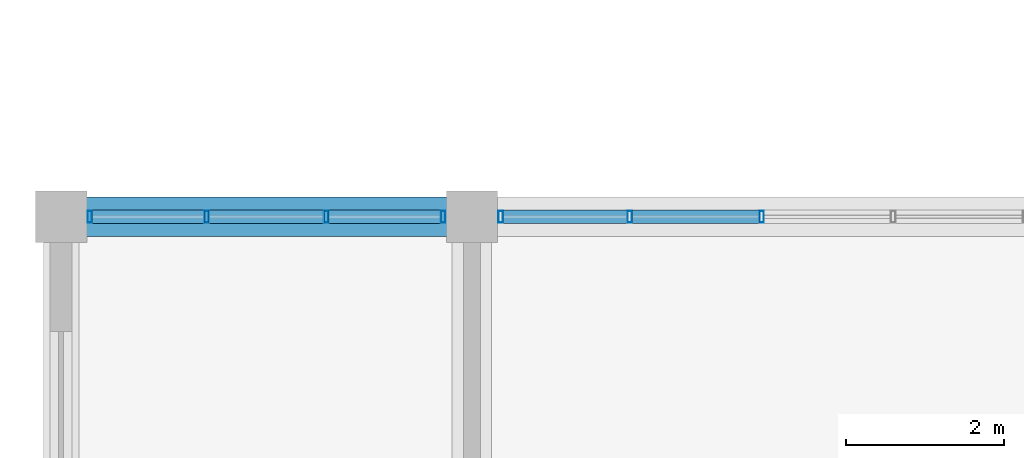
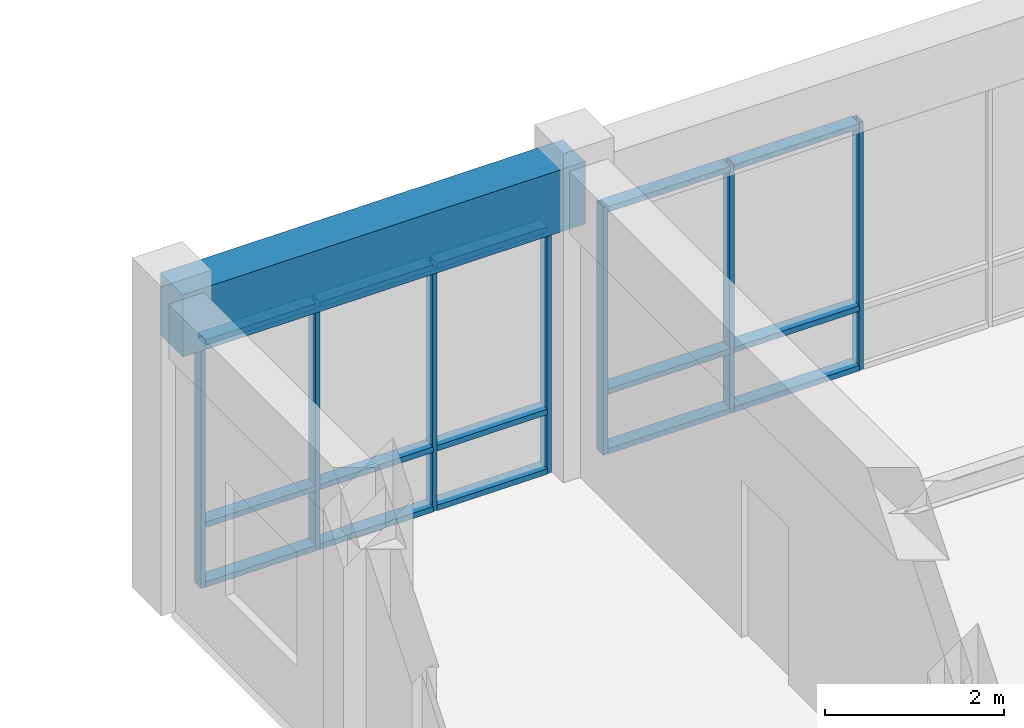
# One storey, part 8 of 55: 22 members, 1 beam, 2 elements without a shape of their own.
"""IFC4 building model written with IfcOpenShell, lengths in metres."""

from ifc_helpers import new_model, si_unit, direction, frame, origin, origin_2d, place, context, subcontext, project, spatial, rectangle, hollow_rectangle, extrude, material, layer, layer_set, material_profile, profile_set, type_object, element, aggregate, save


model = new_model("IFC4")

# Units and contexts
model_context = context("Model", 3, precision=1e-05, world=origin(), true_north=direction((0.0, 1.0)))
body_context = subcontext(model_context, "Body", "Model", "MODEL_VIEW")
ifc_project = project(units=[si_unit("LENGTHUNIT", "METRE"), si_unit("AREAUNIT", "SQUARE_METRE"), si_unit("VOLUMEUNIT", "CUBIC_METRE"), si_unit("PLANEANGLEUNIT", "RADIAN"), si_unit("MASSUNIT", "GRAM", prefix="KILO")], contexts=[model_context])

# Site, building, storey
site_placement = place(None, origin())
site = spatial("IfcSite", under=ifc_project, at=site_placement, CompositionType="ELEMENT")
building_placement = place(site_placement, origin())
building = spatial("IfcBuilding", under=site, at=building_placement, Name="Ventoquebrada Cableway Terminal", CompositionType="ELEMENT")
storey_placement = place(building_placement, frame((0.0, 0.0, 14.39990234375)))
storey = spatial("IfcBuildingStorey", under=building, at=storey_placement, Name="L03", CompositionType="ELEMENT", Elevation=14.39990234375)

# Beam
ifc_material_1 = material(Name="Concrete C40/50", Category="concrete")
ifc_material_profile_1 = material_profile(ifc_material_1, rectangle(XDim=0.5, YDim=0.85009765625, at=origin_2d()), Name="RC-BM-500X850")
ifc_profile_set_1 = profile_set([ifc_material_profile_1], Name="Concrete C40/50")
beam_type = type_object("IfcBeamType", Name="BM-RC04", PredefinedType="BEAM", material=ifc_profile_set_1)
beam_placement = place(storey_placement, frame((3.0, 38.199951171875, 3.80517578125), z_axis=(1.0, 0.0, 0.0), x_axis=(0.0, 1.0, 0.0)))
element("IfcBeam", 1, at=beam_placement, inside=storey, type_object=beam_type, Name="Primary frame girder FBM-0238", PredefinedType="BEAM", context=body_context, shape_type="SweptSolid", body=[
    extrude(rectangle(XDim=0.5, YDim=0.85009765625, at=origin_2d()), origin(), (0.0, 0.0, 1.0), 5.199951171875),
])

# Curtain wall, members
ifc_material_2 = material(Name="Anodized thermally-broken aluminium", Category="aluminium")
ifc_layer_1 = layer(ifc_material_2, 0.159912109375)
ifc_layer_set_1 = layer_set([ifc_layer_1], Name="Anodized thermally-broken aluminium")
curtain_wall_type_1 = type_object("IfcCurtainWallType", Name="CW-T10", PredefinedType="USERDEFINED", material=ifc_layer_set_1)
curtain_wall_1_placement = place(storey_placement, origin())
curtain_wall_1 = element("IfcCurtainWall", 2, at=curtain_wall_1_placement, inside=storey, type_object=curtain_wall_type_1, Name="Unitised glazed curtain wall CW-020", ObjectType="UNITISED CURTAIN WALL", PredefinedType="USERDEFINED")
ifc_material_profile_2 = material_profile(ifc_material_2, hollow_rectangle(XDim=0.06005859375, YDim=0.14990234375, WallThickness=0.00390625, at=origin_2d()), Name="CW-MUL-60X150")
ifc_profile_set_2 = profile_set([ifc_material_profile_2], Name="Anodized thermally-broken aluminium")
member_type_1 = type_object("IfcMemberType", Name="CWM-03", PredefinedType="MULLION", material=ifc_profile_set_2)
member_1_placement = place(storey_placement, frame((7.8349609375, 38.199951171875, -0.0078125), z_axis=(0.0, 0.0, 1.0), x_axis=(-1.0, 0.0, 0.0)))
member_1 = element("IfcMember", 3, at=member_1_placement, type_object=member_type_1, Name="Curtain wall mullion FML-0090", PredefinedType="MULLION", context=body_context, shape_type="SweptSolid", body=[
    extrude(hollow_rectangle(XDim=0.06005859375, YDim=0.14990234375, WallThickness=0.00390625, at=origin_2d()), origin(), (0.0, 0.0, 1.0), 3.387939453125),
])
member_2_placement = place(storey_placement, frame((6.35693359375, 38.199951171875, -0.0078125), z_axis=(0.0, 0.0, 1.0), x_axis=(-1.0, 0.0, 0.0)))
member_2 = element("IfcMember", 4, at=member_2_placement, type_object=member_type_1, Name="Curtain wall mullion FML-0091", PredefinedType="MULLION", context=body_context, shape_type="SweptSolid", body=[
    extrude(hollow_rectangle(XDim=0.06005859375, YDim=0.14990234375, WallThickness=0.00390625, at=origin_2d()), origin(), (0.0, 0.0, 1.0), 3.387939453125),
])
member_3_placement = place(storey_placement, frame((4.843017578125, 38.199951171875, -0.0078125), z_axis=(0.0, 0.0, 1.0), x_axis=(-1.0, 0.0, 0.0)))
member_3 = element("IfcMember", 5, at=member_3_placement, type_object=member_type_1, Name="Curtain wall mullion FML-0092", PredefinedType="MULLION", context=body_context, shape_type="SweptSolid", body=[
    extrude(hollow_rectangle(XDim=0.06005859375, YDim=0.14990234375, WallThickness=0.00390625, at=origin_2d()), origin(), (0.0, 0.0, 1.0), 3.387939453125),
])
member_4_placement = place(storey_placement, frame((3.364990234375, 38.199951171875, -0.0078125), z_axis=(0.0, 0.0, 1.0), x_axis=(-1.0, 0.0, 0.0)))
member_4 = element("IfcMember", 6, at=member_4_placement, type_object=member_type_1, Name="Curtain wall mullion FML-0093", PredefinedType="MULLION", context=body_context, shape_type="SweptSolid", body=[
    extrude(hollow_rectangle(XDim=0.06005859375, YDim=0.14990234375, WallThickness=0.00390625, at=origin_2d()), origin(), (0.0, 0.0, 1.0), 3.387939453125),
])

ifc_layer_2 = layer(ifc_material_2, 0.159912109375)
ifc_layer_set_2 = layer_set([ifc_layer_2], Name="Anodized thermally-broken aluminium")
curtain_wall_type_2 = type_object("IfcCurtainWallType", Name="CW-T11", PredefinedType="USERDEFINED", material=ifc_layer_set_2)
curtain_wall_2_placement = place(storey_placement, origin())
curtain_wall_2 = element("IfcCurtainWall", 7, at=curtain_wall_2_placement, inside=storey, type_object=curtain_wall_type_2, Name="Unitised glazed curtain wall CW-021", ObjectType="UNITISED CURTAIN WALL", PredefinedType="USERDEFINED")
member_5_placement = place(storey_placement, frame((11.865966796875, 38.199951171875, -0.0078125), z_axis=(0.0, 0.0, 1.0), x_axis=(-1.0, 0.0, 0.0)))
member_5 = element("IfcMember", 8, at=member_5_placement, type_object=member_type_1, Name="Curtain wall mullion FML-0097", PredefinedType="MULLION", context=body_context, shape_type="SweptSolid", body=[
    extrude(hollow_rectangle(XDim=0.06005859375, YDim=0.14990234375, WallThickness=0.00390625, at=origin_2d()), origin(), (0.0, 0.0, 1.0), 3.387939453125),
])
member_6_placement = place(storey_placement, frame((10.197998046875, 38.199951171875, -0.0078125), z_axis=(0.0, 0.0, 1.0), x_axis=(-1.0, 0.0, 0.0)))
member_6 = element("IfcMember", 9, at=member_6_placement, type_object=member_type_1, Name="Curtain wall mullion FML-0098", PredefinedType="MULLION", context=body_context, shape_type="SweptSolid", body=[
    extrude(hollow_rectangle(XDim=0.06005859375, YDim=0.14990234375, WallThickness=0.00390625, at=origin_2d()), origin(), (0.0, 0.0, 1.0), 3.387939453125),
])
member_7_placement = place(storey_placement, frame((8.56494140625, 38.199951171875, -0.0078125), z_axis=(0.0, 0.0, 1.0), x_axis=(-1.0, 0.0, 0.0)))
member_7 = element("IfcMember", 10, at=member_7_placement, type_object=member_type_1, Name="Curtain wall mullion FML-0099", PredefinedType="MULLION", context=body_context, shape_type="SweptSolid", body=[
    extrude(hollow_rectangle(XDim=0.06005859375, YDim=0.14990234375, WallThickness=0.00390625, at=origin_2d()), origin(), (0.0, 0.0, 1.0), 3.387939453125),
])

# Member
ifc_material_profile_3 = material_profile(ifc_material_2, hollow_rectangle(XDim=0.074951171875, YDim=0.169921875, WallThickness=0.00439453125, at=origin_2d()), Name="CW-TRN-75X170")
ifc_profile_set_3 = profile_set([ifc_material_profile_3], Name="Anodized thermally-broken aluminium")
member_type_2 = type_object("IfcMemberType", Name="CWT-03", PredefinedType="USERDEFINED", material=ifc_profile_set_3)
member_8_placement = place(storey_placement, frame((7.81005859375, 38.199951171875, 0.03515625), z_axis=(-1.0, 0.0, 0.0), x_axis=(0.0, 0.0, 1.0)))
member_8 = element("IfcMember", 11, at=member_8_placement, type_object=member_type_2, Name="Curtain wall transom FTR-0272", ObjectType="TRANSOM", PredefinedType="USERDEFINED", context=body_context, shape_type="SweptSolid", body=[
    extrude(hollow_rectangle(XDim=0.074951171875, YDim=0.169921875, WallThickness=0.00439453125, at=origin_2d()), origin(), (0.0, 0.0, 1.0), 1.427978515625),
])

member_9_placement = place(storey_placement, frame((7.81005859375, 38.199951171875, 0.85009765625), z_axis=(-1.0, 0.0, 0.0), x_axis=(0.0, 0.0, 1.0)))
member_9 = element("IfcMember", 12, at=member_9_placement, type_object=member_type_2, Name="Curtain wall transom FTR-0273", ObjectType="TRANSOM", PredefinedType="USERDEFINED", context=body_context, shape_type="SweptSolid", body=[
    extrude(hollow_rectangle(XDim=0.074951171875, YDim=0.169921875, WallThickness=0.00439453125, at=origin_2d()), origin(), (0.0, 0.0, 1.0), 1.427978515625),
])

member_10_placement = place(storey_placement, frame((7.81005859375, 38.199951171875, 3.340087890625), z_axis=(-1.0, 0.0, 0.0), x_axis=(0.0, 0.0, 1.0)))
member_10 = element("IfcMember", 13, at=member_10_placement, type_object=member_type_2, Name="Curtain wall transom FTR-0274", ObjectType="TRANSOM", PredefinedType="USERDEFINED", context=body_context, shape_type="SweptSolid", body=[
    extrude(hollow_rectangle(XDim=0.074951171875, YDim=0.169921875, WallThickness=0.00439453125, at=origin_2d()), origin(), (0.0, 0.0, 1.0), 1.427978515625),
])

member_11_placement = place(storey_placement, frame((6.33203125, 38.199951171875, 0.03515625), z_axis=(-1.0, 0.0, 0.0), x_axis=(0.0, 0.0, 1.0)))
member_11 = element("IfcMember", 14, at=member_11_placement, type_object=member_type_2, Name="Curtain wall transom FTR-0275", ObjectType="TRANSOM", PredefinedType="USERDEFINED", context=body_context, shape_type="SweptSolid", body=[
    extrude(hollow_rectangle(XDim=0.074951171875, YDim=0.169921875, WallThickness=0.00439453125, at=origin_2d()), origin(), (0.0, 0.0, 1.0), 1.464111328125),
])

member_12_placement = place(storey_placement, frame((6.33203125, 38.199951171875, 0.85009765625), z_axis=(-1.0, 0.0, 0.0), x_axis=(0.0, 0.0, 1.0)))
member_12 = element("IfcMember", 15, at=member_12_placement, type_object=member_type_2, Name="Curtain wall transom FTR-0276", ObjectType="TRANSOM", PredefinedType="USERDEFINED", context=body_context, shape_type="SweptSolid", body=[
    extrude(hollow_rectangle(XDim=0.074951171875, YDim=0.169921875, WallThickness=0.00439453125, at=origin_2d()), origin(), (0.0, 0.0, 1.0), 1.464111328125),
])

member_13_placement = place(storey_placement, frame((6.33203125, 38.199951171875, 3.340087890625), z_axis=(-1.0, 0.0, 0.0), x_axis=(0.0, 0.0, 1.0)))
member_13 = element("IfcMember", 16, at=member_13_placement, type_object=member_type_2, Name="Curtain wall transom FTR-0277", ObjectType="TRANSOM", PredefinedType="USERDEFINED", context=body_context, shape_type="SweptSolid", body=[
    extrude(hollow_rectangle(XDim=0.074951171875, YDim=0.169921875, WallThickness=0.00439453125, at=origin_2d()), origin(), (0.0, 0.0, 1.0), 1.464111328125),
])

member_14_placement = place(storey_placement, frame((4.818115234375, 38.199951171875, 0.03515625), z_axis=(-1.0, 0.0, 0.0), x_axis=(0.0, 0.0, 1.0)))
member_14 = element("IfcMember", 17, at=member_14_placement, type_object=member_type_2, Name="Curtain wall transom FTR-0278", ObjectType="TRANSOM", PredefinedType="USERDEFINED", context=body_context, shape_type="SweptSolid", body=[
    extrude(hollow_rectangle(XDim=0.074951171875, YDim=0.169921875, WallThickness=0.00439453125, at=origin_2d()), origin(), (0.0, 0.0, 1.0), 1.42822265625),
])

member_15_placement = place(storey_placement, frame((4.818115234375, 38.199951171875, 0.85009765625), z_axis=(-1.0, 0.0, 0.0), x_axis=(0.0, 0.0, 1.0)))
member_15 = element("IfcMember", 18, at=member_15_placement, type_object=member_type_2, Name="Curtain wall transom FTR-0279", ObjectType="TRANSOM", PredefinedType="USERDEFINED", context=body_context, shape_type="SweptSolid", body=[
    extrude(hollow_rectangle(XDim=0.074951171875, YDim=0.169921875, WallThickness=0.00439453125, at=origin_2d()), origin(), (0.0, 0.0, 1.0), 1.42822265625),
])

member_16_placement = place(storey_placement, frame((4.818115234375, 38.199951171875, 3.340087890625), z_axis=(-1.0, 0.0, 0.0), x_axis=(0.0, 0.0, 1.0)))
member_16 = element("IfcMember", 19, at=member_16_placement, type_object=member_type_2, Name="Curtain wall transom FTR-0280", ObjectType="TRANSOM", PredefinedType="USERDEFINED", context=body_context, shape_type="SweptSolid", body=[
    extrude(hollow_rectangle(XDim=0.074951171875, YDim=0.169921875, WallThickness=0.00439453125, at=origin_2d()), origin(), (0.0, 0.0, 1.0), 1.42822265625),
])

aggregate(curtain_wall_1, [member_1, member_2, member_3, member_4, member_8, member_9, member_10, member_11, member_12, member_13, member_14, member_15, member_16])

member_17_placement = place(storey_placement, frame((11.841064453125, 38.199951171875, 0.03515625), z_axis=(-1.0, 0.0, 0.0), x_axis=(0.0, 0.0, 1.0)))
member_17 = element("IfcMember", 20, at=member_17_placement, type_object=member_type_2, Name="Curtain wall transom FTR-0290", ObjectType="TRANSOM", PredefinedType="USERDEFINED", context=body_context, shape_type="SweptSolid", body=[
    extrude(hollow_rectangle(XDim=0.074951171875, YDim=0.169921875, WallThickness=0.00439453125, at=origin_2d()), origin(), (0.0, 0.0, 1.0), 1.6181640625),
])

member_18_placement = place(storey_placement, frame((11.841064453125, 38.199951171875, 0.85009765625), z_axis=(-1.0, 0.0, 0.0), x_axis=(0.0, 0.0, 1.0)))
member_18 = element("IfcMember", 21, at=member_18_placement, type_object=member_type_2, Name="Curtain wall transom FTR-0291", ObjectType="TRANSOM", PredefinedType="USERDEFINED", context=body_context, shape_type="SweptSolid", body=[
    extrude(hollow_rectangle(XDim=0.074951171875, YDim=0.169921875, WallThickness=0.00439453125, at=origin_2d()), origin(), (0.0, 0.0, 1.0), 1.6181640625),
])

member_19_placement = place(storey_placement, frame((11.841064453125, 38.199951171875, 3.340087890625), z_axis=(-1.0, 0.0, 0.0), x_axis=(0.0, 0.0, 1.0)))
member_19 = element("IfcMember", 22, at=member_19_placement, type_object=member_type_2, Name="Curtain wall transom FTR-0292", ObjectType="TRANSOM", PredefinedType="USERDEFINED", context=body_context, shape_type="SweptSolid", body=[
    extrude(hollow_rectangle(XDim=0.074951171875, YDim=0.169921875, WallThickness=0.00439453125, at=origin_2d()), origin(), (0.0, 0.0, 1.0), 1.6181640625),
])

member_20_placement = place(storey_placement, frame((10.173095703125, 38.199951171875, 0.03515625), z_axis=(-1.0, 0.0, 0.0), x_axis=(0.0, 0.0, 1.0)))
member_20 = element("IfcMember", 23, at=member_20_placement, type_object=member_type_2, Name="Curtain wall transom FTR-0293", ObjectType="TRANSOM", PredefinedType="USERDEFINED", context=body_context, shape_type="SweptSolid", body=[
    extrude(hollow_rectangle(XDim=0.074951171875, YDim=0.169921875, WallThickness=0.00439453125, at=origin_2d()), origin(), (0.0, 0.0, 1.0), 1.5830078125),
])

member_21_placement = place(storey_placement, frame((10.173095703125, 38.199951171875, 0.85009765625), z_axis=(-1.0, 0.0, 0.0), x_axis=(0.0, 0.0, 1.0)))
member_21 = element("IfcMember", 24, at=member_21_placement, type_object=member_type_2, Name="Curtain wall transom FTR-0294", ObjectType="TRANSOM", PredefinedType="USERDEFINED", context=body_context, shape_type="SweptSolid", body=[
    extrude(hollow_rectangle(XDim=0.074951171875, YDim=0.169921875, WallThickness=0.00439453125, at=origin_2d()), origin(), (0.0, 0.0, 1.0), 1.5830078125),
])

member_22_placement = place(storey_placement, frame((10.173095703125, 38.199951171875, 3.340087890625), z_axis=(-1.0, 0.0, 0.0), x_axis=(0.0, 0.0, 1.0)))
member_22 = element("IfcMember", 25, at=member_22_placement, type_object=member_type_2, Name="Curtain wall transom FTR-0295", ObjectType="TRANSOM", PredefinedType="USERDEFINED", context=body_context, shape_type="SweptSolid", body=[
    extrude(hollow_rectangle(XDim=0.074951171875, YDim=0.169921875, WallThickness=0.00439453125, at=origin_2d()), origin(), (0.0, 0.0, 1.0), 1.5830078125),
])

aggregate(curtain_wall_2, [member_5, member_6, member_7, member_17, member_18, member_19, member_20, member_21, member_22])

save(model, "model.ifc")
